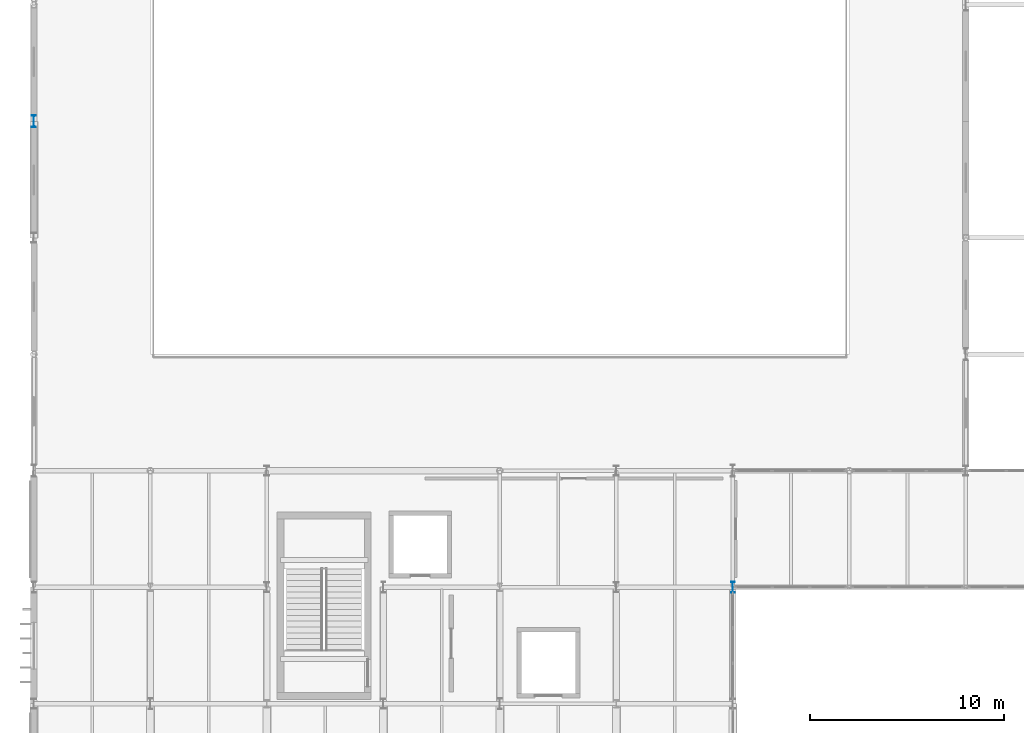
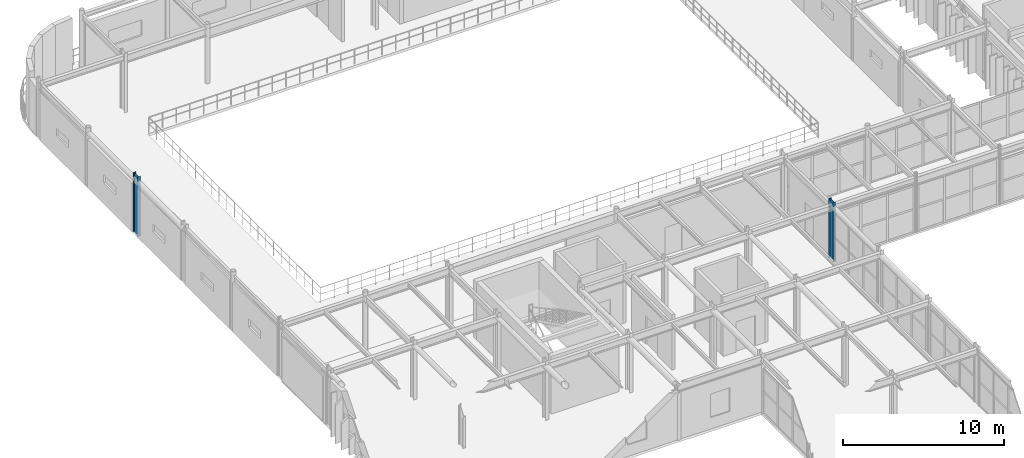
# One storey, part 8 of 84: 2 columns.
"""IFC4 building model written with IfcOpenShell, lengths in metres."""

from ifc_helpers import new_model, si_unit, direction, frame, origin, origin_2d, place, context, subcontext, project, spatial, i_section, extrude, material, material_profile, profile_set, type_object, element, save


model = new_model("IFC4")

# Units and contexts
model_context = context("Model", 3, precision=1e-05, world=origin(), true_north=direction((0.0, 1.0)))
body_context = subcontext(model_context, "Body", "Model", "MODEL_VIEW")
ifc_project = project(units=[si_unit("LENGTHUNIT", "METRE"), si_unit("AREAUNIT", "SQUARE_METRE"), si_unit("VOLUMEUNIT", "CUBIC_METRE"), si_unit("PLANEANGLEUNIT", "RADIAN"), si_unit("MASSUNIT", "GRAM", prefix="KILO")], contexts=[model_context])

# Site, building, storey
site_placement = place(None, origin())
site = spatial("IfcSite", under=ifc_project, at=site_placement, CompositionType="ELEMENT")
building_placement = place(site_placement, origin())
building = spatial("IfcBuilding", under=site, at=building_placement, Name="Varnakota Square Police Headquarters", CompositionType="ELEMENT")
storey_placement = place(building_placement, frame((0.0, 0.0, 13.5)))
storey = spatial("IfcBuildingStorey", under=building, at=storey_placement, Name="L03", CompositionType="ELEMENT", Elevation=13.5)

# Columns
ifc_material = material(Name="Steel IS 2062 Grade 350", Category="steel")
ifc_material_profile_1 = material_profile(ifc_material, i_section(OverallWidth=0.18994140625, OverallDepth=0.550048828125, WebThickness=0.01123046875, FlangeThickness=0.019287109375, FilletRadius=0.01806640625, at=origin_2d()), Name="ISMB 550")
ifc_profile_set_1 = profile_set([ifc_material_profile_1], Name="Steel IS 2062 Grade 350")
column_type_1 = type_object("IfcColumnType", Name="COL-ISMB550", PredefinedType="COLUMN", material=ifc_profile_set_1)
column_1_placement = place(storey_placement, frame((42.0, 69.0, 0.0), z_axis=(0.0, 0.0, 1.0), x_axis=(1.0, 0.0, 0.0)))
element("IfcColumn", 1, at=column_1_placement, inside=storey, type_object=column_type_1, Name="Column X0420-Y0690 L03", PredefinedType="COLUMN", context=body_context, shape_type="SweptSolid", body=[
    extrude(i_section(OverallWidth=0.18994140625, OverallDepth=0.550048828125, WebThickness=0.01123046875, FlangeThickness=0.019287109375, FilletRadius=0.01806640625, at=origin_2d()), origin(), (0.0, 0.0, 1.0), 4.5),
])
ifc_material_profile_2 = material_profile(ifc_material, i_section(OverallWidth=0.2099609375, OverallDepth=0.60009765625, WebThickness=0.011962890625, FlangeThickness=0.020751953125, FilletRadius=0.02001953125, at=origin_2d()), Name="ISMB 600")
ifc_profile_set_2 = profile_set([ifc_material_profile_2], Name="Steel IS 2062 Grade 350")
column_type_2 = type_object("IfcColumnType", Name="COL-ISMB600", PredefinedType="COLUMN", material=ifc_profile_set_2)
column_2_placement = place(storey_placement, frame((6.0, 93.0, 0.0), z_axis=(0.0, 0.0, 1.0), x_axis=(1.0, 0.0, 0.0)))
element("IfcColumn", 2, at=column_2_placement, inside=storey, type_object=column_type_2, Name="Column X0060-Y0930 L03", PredefinedType="COLUMN", context=body_context, shape_type="SweptSolid", body=[
    extrude(i_section(OverallWidth=0.2099609375, OverallDepth=0.60009765625, WebThickness=0.011962890625, FlangeThickness=0.020751953125, FilletRadius=0.02001953125, at=origin_2d()), origin(), (0.0, 0.0, 1.0), 4.5),
])

save(model, "model.ifc")
